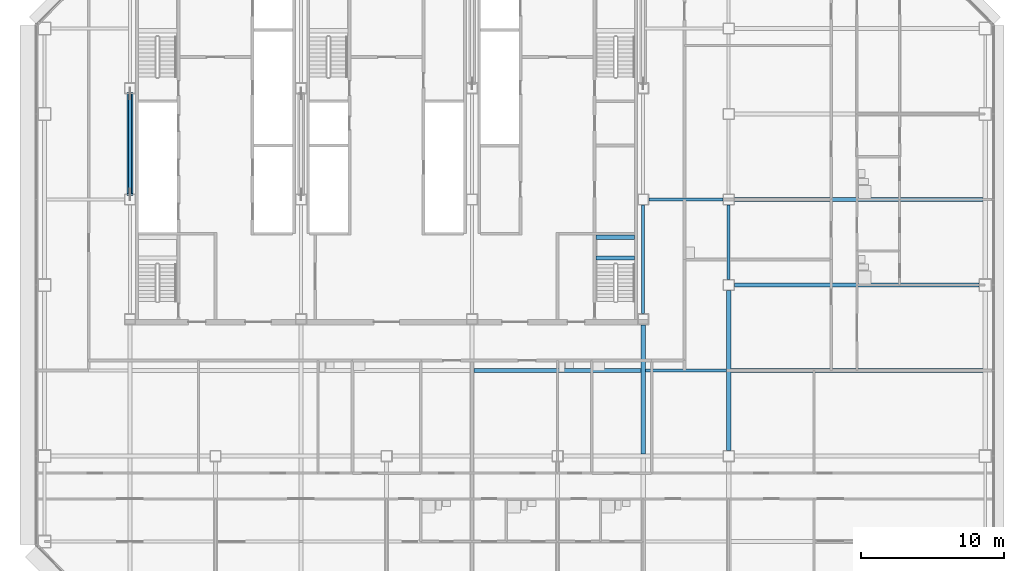
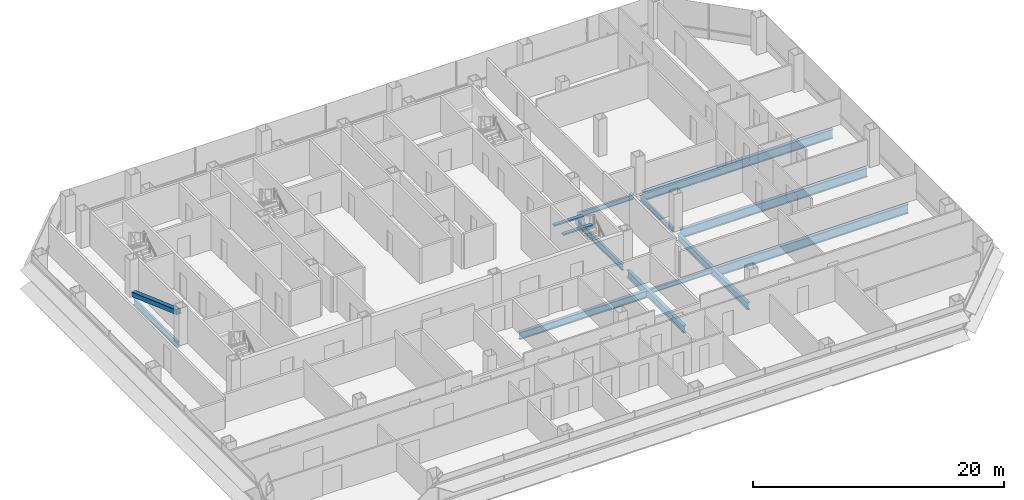
# One storey, part 10 of 26: 13 beams, 1 member.
"""IFC4 building model written with IfcOpenShell, lengths in metres."""

from ifc_helpers import new_model, si_unit, direction, frame, origin, origin_2d, place, context, subcontext, project, spatial, rectangle, hollow_rectangle, i_section, extrude, material, material_profile, profile_set, type_object, element, save


model = new_model("IFC4")

# Units and contexts
model_context = context("Model", 3, precision=1e-05, world=origin(), true_north=direction((0.0, 1.0)))
body_context = subcontext(model_context, "Body", "Model", "MODEL_VIEW")
ifc_project = project(units=[si_unit("LENGTHUNIT", "METRE"), si_unit("AREAUNIT", "SQUARE_METRE"), si_unit("VOLUMEUNIT", "CUBIC_METRE"), si_unit("PLANEANGLEUNIT", "RADIAN"), si_unit("MASSUNIT", "GRAM", prefix="KILO")], contexts=[model_context])

# Site, building, storey
site_placement = place(None, origin())
site = spatial("IfcSite", under=ifc_project, at=site_placement, CompositionType="ELEMENT")
building_placement = place(site_placement, origin())
building = spatial("IfcBuilding", under=site, at=building_placement, Name="Sorahane Residences", CompositionType="ELEMENT")
storey_placement = place(building_placement, frame((0.0, 0.0, 67.800048828125)))
storey = spatial("IfcBuildingStorey", under=building, at=storey_placement, Name="L13", CompositionType="ELEMENT", Elevation=67.800048828125)

# Member
ifc_material_1 = material(Name="Steel Q355B", Category="steel")
ifc_material_profile_1 = material_profile(ifc_material_1, hollow_rectangle(XDim=0.449951171875, YDim=0.449951171875, WallThickness=0.02197265625, InnerFilletRadius=0.010986328125, OuterFilletRadius=0.032958984375, at=origin_2d()), Name="RHS 450x450x22")
ifc_profile_set_1 = profile_set([ifc_material_profile_1], Name="Steel Q355B")
member_type = type_object("IfcMemberType", Name="Core brace RHS 450x450x22 Q355B", PredefinedType="BRACE", material=ifc_profile_set_1)
member_placement = place(storey_placement, frame((6.0, 37.44580078125, 0.20849609375), z_axis=(0.0, -0.940886586011, 0.338721762313), x_axis=(1.0, 0.0, 0.0)))
element("IfcMember", 1, at=member_placement, inside=storey, type_object=member_type, Name="Core brace L13 x6-2", PredefinedType="BRACE", context=body_context, shape_type="SweptSolid", body=[
    extrude(hollow_rectangle(XDim=0.449951171875, YDim=0.449951171875, WallThickness=0.02197265625, InnerFilletRadius=0.010986328125, OuterFilletRadius=0.032958984375, at=origin_2d()), origin(), (0.0, 0.0, 1.0), 7.537109375),
])

# Beams
ifc_material_2 = material(Name="Concrete C40", Category="concrete")
ifc_material_profile_2 = material_profile(ifc_material_2, rectangle(XDim=0.300048828125, YDim=0.139892578125, at=origin_2d()), Name="300x140")
ifc_profile_set_2 = profile_set([ifc_material_profile_2], Name="Concrete C40")
beam_type_1 = type_object("IfcBeamType", Name="RC landing beam 300 x 140 Concrete C40", PredefinedType="BEAM", material=ifc_profile_set_2)
for number, where, z_axis, x_axis, name in (
    (2, (38.699951171875, 25.89990234375, 1.530029296875), (1.0, 0.0, 0.0), (0.0, 1.0, 0.0), "Landing beam"),
    (3, (38.699951171875, 27.35009765625, 1.530029296875), (1.0, 0.0, 0.0), (0.0, 1.0, 0.0), "Landing beam"),
):
    element("IfcBeam", number, at=place(storey_placement, frame(where, z_axis=z_axis, x_axis=x_axis)), inside=storey, type_object=beam_type_1, Name=name, PredefinedType="BEAM", context=body_context, shape_type="SweptSolid", body=[
        extrude(rectangle(XDim=0.300048828125, YDim=0.139892578125, at=origin_2d()), origin(), (0.0, 0.0, 1.0), 2.699951171875),
    ])
ifc_material_3 = material(Name="Steel Q355B", Category="steel")
ifc_material_profile_3 = material_profile(ifc_material_3, i_section(OverallWidth=0.199951171875, OverallDepth=0.449951171875, WebThickness=0.009033203125, FlangeThickness=0.013916015625, FilletRadius=0.02001953125, at=origin_2d()), Name="HN 450x200x9x14")
ifc_profile_set_3 = profile_set([ifc_material_profile_3], Name="Steel Q355B")
beam_type_2 = type_object("IfcBeamType", Name="Steel floor beam HN 450x200x9x14 Q355B", PredefinedType="BEAM", material=ifc_profile_set_3)
beam_1_placement = place(storey_placement, frame((48.0, 24.39990234375, -0.405029296875), z_axis=(0.0, 1.0, 0.0), x_axis=(-1.0, 0.0, 0.0)))
element("IfcBeam", 4, at=beam_1_placement, inside=storey, type_object=beam_type_2, Name="Beam L13 053", PredefinedType="BEAM", context=body_context, shape_type="SweptSolid", body=[
    extrude(i_section(OverallWidth=0.199951171875, OverallDepth=0.449951171875, WebThickness=0.009033203125, FlangeThickness=0.013916015625, FilletRadius=0.02001953125, at=origin_2d()), origin(), (0.0, 0.0, 1.0), 5.2001953125),
])
beam_2_placement = place(storey_placement, frame((42.14990234375, 18.0, -0.405029296875), z_axis=(1.0, 0.0, 0.0), x_axis=(0.0, 1.0, 0.0)))
element("IfcBeam", 5, at=beam_2_placement, inside=storey, type_object=beam_type_2, Name="Beam L13 074", PredefinedType="BEAM", context=body_context, shape_type="SweptSolid", body=[
    extrude(i_section(OverallWidth=0.199951171875, OverallDepth=0.449951171875, WebThickness=0.009033203125, FlangeThickness=0.013916015625, FilletRadius=0.02001953125, at=origin_2d()), origin(), (0.0, 0.0, 1.0), 5.7001953125),
])
beam_3_placement = place(storey_placement, frame((42.39990234375, 30.0, -0.405029296875), z_axis=(1.0, 0.0, 0.0), x_axis=(0.0, 1.0, 0.0)))
element("IfcBeam", 6, at=beam_3_placement, inside=storey, type_object=beam_type_2, Name="Beam L13 077", PredefinedType="BEAM", context=body_context, shape_type="SweptSolid", body=[
    extrude(i_section(OverallWidth=0.199951171875, OverallDepth=0.449951171875, WebThickness=0.009033203125, FlangeThickness=0.013916015625, FilletRadius=0.02001953125, at=origin_2d()), origin(), (0.0, 0.0, 1.0), 5.2001953125),
])
ifc_material_4 = material(Name="Steel Q355B", Category="steel")
ifc_material_profile_4 = material_profile(ifc_material_4, i_section(OverallWidth=0.199951171875, OverallDepth=0.60009765625, WebThickness=0.010986328125, FlangeThickness=0.01708984375, FilletRadius=0.02392578125, at=origin_2d()), Name="HN 600x200x11x17")
ifc_profile_set_4 = profile_set([ifc_material_profile_4], Name="Steel Q355B")
beam_type_3 = type_object("IfcBeamType", Name="Steel floor beam HN 600x200x11x17 Q355B", PredefinedType="BEAM", material=ifc_profile_set_4)
beam_4_placement = place(storey_placement, frame((6.0, 30.39990234375, -0.47998046875), z_axis=(0.0, 1.0, 0.0), x_axis=(-1.0, 0.0, 0.0)))
element("IfcBeam", 7, at=beam_4_placement, inside=storey, type_object=beam_type_3, Name="Beam L13 024", PredefinedType="BEAM", context=body_context, shape_type="SweptSolid", body=[
    extrude(i_section(OverallWidth=0.199951171875, OverallDepth=0.60009765625, WebThickness=0.010986328125, FlangeThickness=0.01708984375, FilletRadius=0.02392578125, at=origin_2d()), origin(), (0.0, 0.0, 1.0), 7.0),
])
beam_5_placement = place(storey_placement, frame((42.0, 22.0, -0.47998046875), z_axis=(0.0, 1.0, 0.0), x_axis=(-1.0, 0.0, 0.0)))
element("IfcBeam", 8, at=beam_5_placement, inside=storey, type_object=beam_type_3, Name="Beam L13 047", PredefinedType="BEAM", context=body_context, shape_type="SweptSolid", body=[
    extrude(i_section(OverallWidth=0.199951171875, OverallDepth=0.60009765625, WebThickness=0.010986328125, FlangeThickness=0.01708984375, FilletRadius=0.02392578125, at=origin_2d()), origin(), (0.0, 0.0, 1.0), 7.60009765625),
])
ifc_material_5 = material(Name="Steel Q355B", Category="steel")
ifc_material_profile_5 = material_profile(ifc_material_5, i_section(OverallWidth=0.300048828125, OverallDepth=0.699951171875, WebThickness=0.012939453125, FlangeThickness=0.02392578125, FilletRadius=0.028076171875, at=origin_2d()), Name="HN 700x300x13x24")
ifc_profile_set_5 = profile_set([ifc_material_profile_5], Name="Steel Q355B")
beam_type_4 = type_object("IfcBeamType", Name="Steel floor beam HN 700x300x13x24 Q355B", PredefinedType="BEAM", material=ifc_profile_set_5)
beam_6_placement = place(storey_placement, frame((42.0, 12.14990234375, -0.530029296875), z_axis=(0.0, 1.0, 0.0), x_axis=(-1.0, 0.0, 0.0)))
element("IfcBeam", 9, at=beam_6_placement, inside=storey, type_object=beam_type_4, Name="Beam L13 046", PredefinedType="BEAM", context=body_context, shape_type="SweptSolid", body=[
    extrude(i_section(OverallWidth=0.300048828125, OverallDepth=0.699951171875, WebThickness=0.012939453125, FlangeThickness=0.02392578125, FilletRadius=0.028076171875, at=origin_2d()), origin(), (0.0, 0.0, 1.0), 9.050048828125),
])
beam_7_placement = place(storey_placement, frame((48.0, 12.39990234375, -0.530029296875), z_axis=(0.0, 1.0, 0.0), x_axis=(-1.0, 0.0, 0.0)))
element("IfcBeam", 10, at=beam_7_placement, inside=storey, type_object=beam_type_4, Name="Beam L13 052", PredefinedType="BEAM", context=body_context, shape_type="SweptSolid", body=[
    extrude(i_section(OverallWidth=0.300048828125, OverallDepth=0.699951171875, WebThickness=0.012939453125, FlangeThickness=0.02392578125, FilletRadius=0.028076171875, at=origin_2d()), origin(), (0.0, 0.0, 1.0), 11.2001953125),
])
beam_8_placement = place(storey_placement, frame((30.14990234375, 18.0, -0.530029296875), z_axis=(1.0, 0.0, 0.0), x_axis=(0.0, 1.0, 0.0)))
element("IfcBeam", 11, at=beam_8_placement, inside=storey, type_object=beam_type_4, Name="Beam L13 073", PredefinedType="BEAM", context=body_context, shape_type="SweptSolid", body=[
    extrude(i_section(OverallWidth=0.300048828125, OverallDepth=0.699951171875, WebThickness=0.012939453125, FlangeThickness=0.02392578125, FilletRadius=0.028076171875, at=origin_2d()), origin(), (0.0, 0.0, 1.0), 11.7001953125),
])
ifc_material_6 = material(Name="Steel Q355B", Category="steel")
ifc_material_profile_6 = material_profile(ifc_material_6, i_section(OverallWidth=0.300048828125, OverallDepth=0.89990234375, WebThickness=0.01611328125, FlangeThickness=0.028076171875, FilletRadius=0.028076171875, at=origin_2d()), Name="HN 900x300x16x28")
ifc_profile_set_6 = profile_set([ifc_material_profile_6], Name="Steel Q355B")
beam_type_5 = type_object("IfcBeamType", Name="Steel floor beam HN 900x300x16x28 Q355B", PredefinedType="BEAM", material=ifc_profile_set_6)
beam_9_placement = place(storey_placement, frame((48.39990234375, 24.0, -0.630126953125), z_axis=(1.0, 0.0, 0.0), x_axis=(0.0, 1.0, 0.0)))
element("IfcBeam", 12, at=beam_9_placement, inside=storey, type_object=beam_type_5, Name="Beam L13 010", PredefinedType="BEAM", context=body_context, shape_type="SweptSolid", body=[
    extrude(i_section(OverallWidth=0.300048828125, OverallDepth=0.89990234375, WebThickness=0.01611328125, FlangeThickness=0.028076171875, FilletRadius=0.028076171875, at=origin_2d()), origin(), (0.0, 0.0, 1.0), 17.150146484375),
])
beam_10_placement = place(storey_placement, frame((48.14990234375, 18.0, -0.630126953125), z_axis=(1.0, 0.0, 0.0), x_axis=(0.0, 1.0, 0.0)))
element("IfcBeam", 13, at=beam_10_placement, inside=storey, type_object=beam_type_5, Name="Beam L13 075", PredefinedType="BEAM", context=body_context, shape_type="SweptSolid", body=[
    extrude(i_section(OverallWidth=0.300048828125, OverallDepth=0.89990234375, WebThickness=0.01611328125, FlangeThickness=0.028076171875, FilletRadius=0.028076171875, at=origin_2d()), origin(), (0.0, 0.0, 1.0), 17.7001953125),
])
beam_11_placement = place(storey_placement, frame((48.39990234375, 30.0, -0.630126953125), z_axis=(1.0, 0.0, 0.0), x_axis=(0.0, 1.0, 0.0)))
element("IfcBeam", 14, at=beam_11_placement, inside=storey, type_object=beam_type_5, Name="Beam L13 078", PredefinedType="BEAM", context=body_context, shape_type="SweptSolid", body=[
    extrude(i_section(OverallWidth=0.300048828125, OverallDepth=0.89990234375, WebThickness=0.01611328125, FlangeThickness=0.028076171875, FilletRadius=0.028076171875, at=origin_2d()), origin(), (0.0, 0.0, 1.0), 17.4501953125),
])

save(model, "model.ifc")
